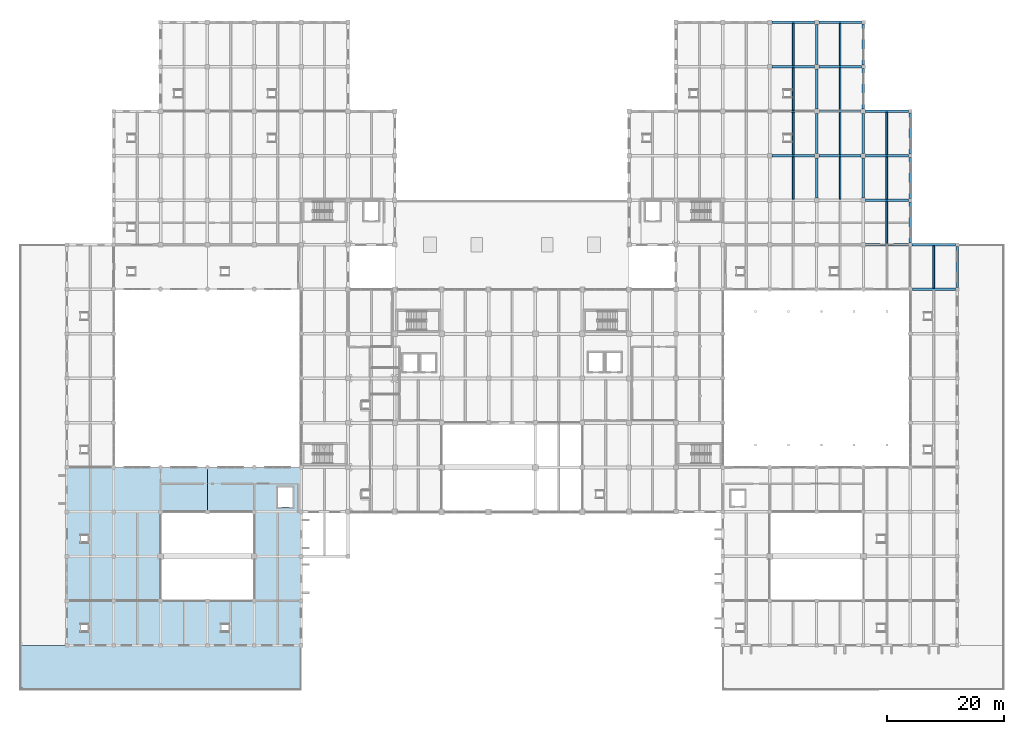
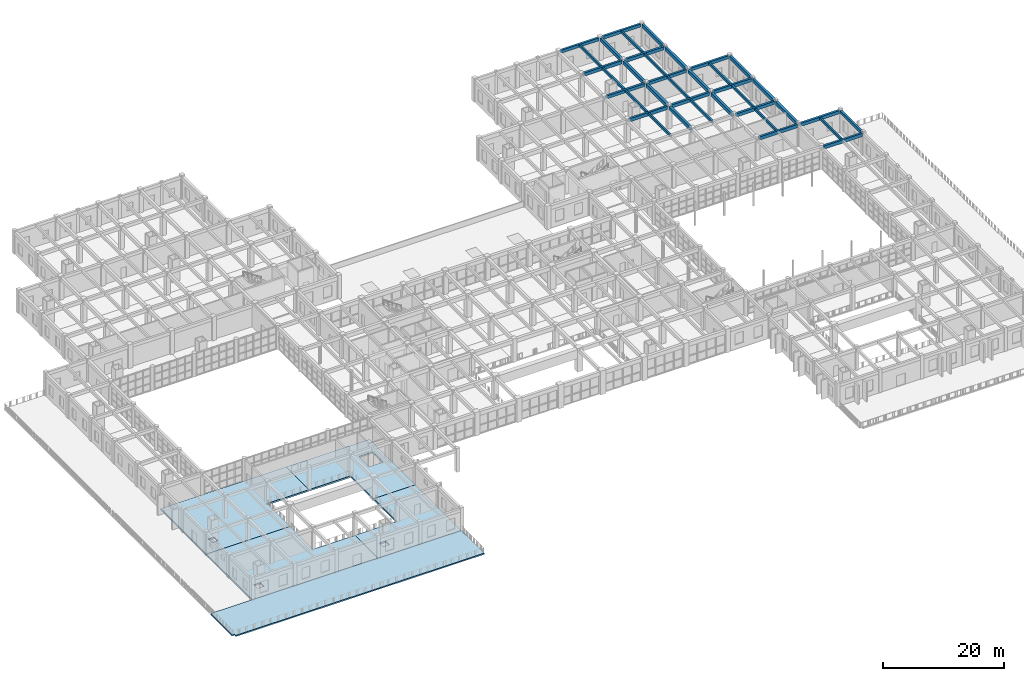
# One storey, part 60 of 101: 38 beams, 5 slabs.
"""IFC4 building model written with IfcOpenShell, lengths in metres."""

from ifc_helpers import new_model, si_unit, direction, frame, origin, origin_2d, place, context, subcontext, project, spatial, polyline, rectangle, outline, extrude, material, layer, layer_set, material_profile, profile_set, type_object, element, save


model = new_model("IFC4")

# Units and contexts
model_context = context("Model", 3, precision=1e-05, world=origin(), true_north=direction((0.0, 1.0)))
body_context = subcontext(model_context, "Body", "Model", "MODEL_VIEW")
ifc_project = project(units=[si_unit("LENGTHUNIT", "METRE"), si_unit("AREAUNIT", "SQUARE_METRE"), si_unit("VOLUMEUNIT", "CUBIC_METRE"), si_unit("PLANEANGLEUNIT", "RADIAN"), si_unit("MASSUNIT", "GRAM", prefix="KILO")], contexts=[model_context])

# Site, building, storey
site_placement = place(None, origin())
site = spatial("IfcSite", under=ifc_project, at=site_placement, CompositionType="ELEMENT")
building_placement = place(site_placement, origin())
building = spatial("IfcBuilding", under=site, at=building_placement, Name="Zantavel Square City Hall", CompositionType="ELEMENT")
storey_placement = place(building_placement, frame((0.0, 0.0, 5.39990234375)))
storey = spatial("IfcBuildingStorey", under=building, at=storey_placement, Name="L02", CompositionType="ELEMENT", Elevation=5.39990234375)

# Beams
ifc_material_1 = material(Name="Concrete C35/45", Category="concrete")
ifc_material_profile_1 = material_profile(ifc_material_1, rectangle(XDim=0.300048828125, YDim=0.5, at=origin_2d()), Name="RC 300x500")
ifc_profile_set_1 = profile_set([ifc_material_profile_1], Name="Concrete C35/45")
beam_type_1 = type_object("IfcBeamType", Name="Floor Joist RC 300x500 C35/45", PredefinedType="JOIST", material=ifc_profile_set_1)
beam_1_placement = place(storey_placement, frame((132.0, 83.800048828125, 4.2900390625), z_axis=(0.0, 1.0, 0.0), x_axis=(-1.0, 0.0, 0.0)))
element("IfcBeam", 1, at=beam_1_placement, inside=storey, type_object=beam_type_1, Name="L02 Floor Joist JST-L02-1320-0836", PredefinedType="JOIST", context=body_context, shape_type="SweptSolid", body=[
    extrude(rectangle(XDim=0.300048828125, YDim=0.5, at=origin_2d()), origin(), (0.0, 0.0, 1.0), 7.199951171875),
])
beam_2_placement = place(storey_placement, frame((132.0, 91.39990234375, 4.2900390625), z_axis=(0.0, 1.0, 0.0), x_axis=(-1.0, 0.0, 0.0)))
element("IfcBeam", 2, at=beam_2_placement, inside=storey, type_object=beam_type_1, Name="L02 Floor Joist JST-L02-1320-0912", PredefinedType="JOIST", context=body_context, shape_type="SweptSolid", body=[
    extrude(rectangle(XDim=0.300048828125, YDim=0.5, at=origin_2d()), origin(), (0.0, 0.0, 1.0), 7.2001953125),
])
for number, where, z_axis, x_axis, name in (
    (3, (132.0, 99.0, 4.2900390625), (0.0, 1.0, 0.0), (-1.0, 0.0, 0.0), "L02 Floor Joist JST-L02-1320-0988"),
    (4, (132.0, 106.60009765625, 4.2900390625), (0.0, 1.0, 0.0), (-1.0, 0.0, 0.0), "L02 Floor Joist JST-L02-1320-1064"),
    (5, (140.0, 83.800048828125, 4.2900390625), (0.0, 1.0, 0.0), (-1.0, 0.0, 0.0), "L02 Floor Joist JST-L02-1400-0836"),
):
    element("IfcBeam", number, at=place(storey_placement, frame(where, z_axis=z_axis, x_axis=x_axis)), inside=storey, type_object=beam_type_1, Name=name, PredefinedType="JOIST", context=body_context, shape_type="SweptSolid", body=[
        extrude(rectangle(XDim=0.300048828125, YDim=0.5, at=origin_2d()), origin(), (0.0, 0.0, 1.0), 7.199951171875),
    ])
beam_3_placement = place(storey_placement, frame((140.0, 91.39990234375, 4.2900390625), z_axis=(0.0, 1.0, 0.0), x_axis=(-1.0, 0.0, 0.0)))
element("IfcBeam", 6, at=beam_3_placement, inside=storey, type_object=beam_type_1, Name="L02 Floor Joist JST-L02-1400-0912", PredefinedType="JOIST", context=body_context, shape_type="SweptSolid", body=[
    extrude(rectangle(XDim=0.300048828125, YDim=0.5, at=origin_2d()), origin(), (0.0, 0.0, 1.0), 7.2001953125),
])
for number, where, z_axis, x_axis, name in (
    (7, (140.0, 99.0, 4.2900390625), (0.0, 1.0, 0.0), (-1.0, 0.0, 0.0), "L02 Floor Joist JST-L02-1400-0988"),
    (8, (140.0, 106.60009765625, 4.2900390625), (0.0, 1.0, 0.0), (-1.0, 0.0, 0.0), "L02 Floor Joist JST-L02-1400-1064"),
    (9, (148.0, 76.199951171875, 4.2001953125), (0.0, 1.0, 0.0), (-1.0, 0.0, 0.0), "L02 Floor Joist JST-L02-1480-0760"),
    (10, (148.0, 83.800048828125, 4.2900390625), (0.0, 1.0, 0.0), (-1.0, 0.0, 0.0), "L02 Floor Joist JST-L02-1480-0836"),
):
    element("IfcBeam", number, at=place(storey_placement, frame(where, z_axis=z_axis, x_axis=x_axis)), inside=storey, type_object=beam_type_1, Name=name, PredefinedType="JOIST", context=body_context, shape_type="SweptSolid", body=[
        extrude(rectangle(XDim=0.300048828125, YDim=0.5, at=origin_2d()), origin(), (0.0, 0.0, 1.0), 7.199951171875),
    ])
beam_4_placement = place(storey_placement, frame((148.0, 91.39990234375, 4.2900390625), z_axis=(0.0, 1.0, 0.0), x_axis=(-1.0, 0.0, 0.0)))
element("IfcBeam", 11, at=beam_4_placement, inside=storey, type_object=beam_type_1, Name="L02 Floor Joist JST-L02-1480-0912", PredefinedType="JOIST", context=body_context, shape_type="SweptSolid", body=[
    extrude(rectangle(XDim=0.300048828125, YDim=0.5, at=origin_2d()), origin(), (0.0, 0.0, 1.0), 7.2001953125),
])
ifc_material_profile_2 = material_profile(ifc_material_1, rectangle(XDim=0.39990234375, YDim=0.64990234375, at=origin_2d()), Name="RC 400x650")
ifc_profile_set_2 = profile_set([ifc_material_profile_2], Name="Concrete C35/45")
beam_type_2 = type_object("IfcBeamType", Name="Frame Beam RC 400x650 C35/45", PredefinedType="BEAM", material=ifc_profile_set_2)
for number, where, z_axis, x_axis, name in (
    (12, (128.375, 91.199951171875, 4.215087890625), (1.0, 0.0, 0.0), (0.0, 1.0, 0.0), "L02 Girder BMX-L02-1280-0912"),
    (13, (128.375, 106.39990234375, 4.215087890625), (1.0, 0.0, 0.0), (0.0, 1.0, 0.0), "L02 Girder BMX-L02-1280-1064"),
    (14, (136.375, 91.199951171875, 4.215087890625), (1.0, 0.0, 0.0), (0.0, 1.0, 0.0), "L02 Girder BMX-L02-1360-0912"),
):
    element("IfcBeam", number, at=place(storey_placement, frame(where, z_axis=z_axis, x_axis=x_axis)), inside=storey, type_object=beam_type_2, Name=name, PredefinedType="BEAM", context=body_context, shape_type="SweptSolid", body=[
        extrude(rectangle(XDim=0.39990234375, YDim=0.64990234375, at=origin_2d()), origin(), (0.0, 0.0, 1.0), 7.25),
    ])
for number, where, z_axis, x_axis, name in (
    (15, (136.375, 106.39990234375, 4.215087890625), (1.0, 0.0, 0.0), (0.0, 1.0, 0.0), "L02 Girder BMX-L02-1360-1064"),
    (16, (144.375, 76.0, 4.125), (1.0, 0.0, 0.0), (0.0, 1.0, 0.0), "L02 Girder BMX-L02-1440-0760"),
    (17, (144.375, 83.60009765625, 4.215087890625), (1.0, 0.0, 0.0), (0.0, 1.0, 0.0), "L02 Girder BMX-L02-1440-0836"),
    (18, (144.375, 91.199951171875, 4.215087890625), (1.0, 0.0, 0.0), (0.0, 1.0, 0.0), "L02 Girder BMX-L02-1440-0912"),
):
    element("IfcBeam", number, at=place(storey_placement, frame(where, z_axis=z_axis, x_axis=x_axis)), inside=storey, type_object=beam_type_2, Name=name, PredefinedType="BEAM", context=body_context, shape_type="SweptSolid", body=[
        extrude(rectangle(XDim=0.39990234375, YDim=0.64990234375, at=origin_2d()), origin(), (0.0, 0.0, 1.0), 7.300048828125),
    ])
beam_5_placement = place(storey_placement, frame((152.375, 68.39990234375, 4.125), z_axis=(1.0, 0.0, 0.0), x_axis=(0.0, 1.0, 0.0)))
element("IfcBeam", 19, at=beam_5_placement, inside=storey, type_object=beam_type_2, Name="L02 Girder BMX-L02-1520-0684", PredefinedType="BEAM", context=body_context, shape_type="SweptSolid", body=[
    extrude(rectangle(XDim=0.39990234375, YDim=0.64990234375, at=origin_2d()), origin(), (0.0, 0.0, 1.0), 7.324951171875),
])
beam_6_placement = place(storey_placement, frame((152.324951171875, 76.0, 4.125), z_axis=(1.0, 0.0, 0.0), x_axis=(0.0, 1.0, 0.0)))
element("IfcBeam", 20, at=beam_6_placement, inside=storey, type_object=beam_type_2, Name="L02 Girder BMX-L02-1520-0760", PredefinedType="BEAM", context=body_context, shape_type="SweptSolid", body=[
    extrude(rectangle(XDim=0.39990234375, YDim=0.64990234375, at=origin_2d()), origin(), (0.0, 0.0, 1.0), 7.375),
])
ifc_material_profile_3 = material_profile(ifc_material_1, rectangle(XDim=0.39990234375, YDim=0.60009765625, at=origin_2d()), Name="RC 400x600")
ifc_profile_set_3 = profile_set([ifc_material_profile_3], Name="Concrete C35/45")
beam_type_3 = type_object("IfcBeamType", Name="Perimeter Spandrel RC 400x600 C35/45", PredefinedType="SPANDREL", material=ifc_profile_set_3)
for number, where, z_axis, x_axis, name in (
    (21, (128.375, 98.800048828125, 4.239990234375), (1.0, 0.0, 0.0), (0.0, 1.0, 0.0), "L02 Girder BMX-L02-1280-0988"),
    (22, (128.375, 114.0, 4.239990234375), (1.0, 0.0, 0.0), (0.0, 1.0, 0.0), "L02 Girder BMX-L02-1280-1140"),
    (23, (136.375, 98.800048828125, 4.239990234375), (1.0, 0.0, 0.0), (0.0, 1.0, 0.0), "L02 Girder BMX-L02-1360-0988"),
):
    element("IfcBeam", number, at=place(storey_placement, frame(where, z_axis=z_axis, x_axis=x_axis)), inside=storey, type_object=beam_type_3, Name=name, PredefinedType="SPANDREL", context=body_context, shape_type="SweptSolid", body=[
        extrude(rectangle(XDim=0.39990234375, YDim=0.60009765625, at=origin_2d()), origin(), (0.0, 0.0, 1.0), 7.25),
    ])
for number, where, z_axis, x_axis, name in (
    (24, (136.375, 114.0, 4.239990234375), (1.0, 0.0, 0.0), (0.0, 1.0, 0.0), "L02 Girder BMX-L02-1360-1140"),
    (25, (144.375, 98.800048828125, 4.239990234375), (1.0, 0.0, 0.0), (0.0, 1.0, 0.0), "L02 Girder BMX-L02-1440-0988"),
):
    element("IfcBeam", number, at=place(storey_placement, frame(where, z_axis=z_axis, x_axis=x_axis)), inside=storey, type_object=beam_type_3, Name=name, PredefinedType="SPANDREL", context=body_context, shape_type="SweptSolid", body=[
        extrude(rectangle(XDim=0.39990234375, YDim=0.60009765625, at=origin_2d()), origin(), (0.0, 0.0, 1.0), 7.300048828125),
    ])
beam_7_placement = place(storey_placement, frame((160.0, 68.699951171875, 4.150146484375), z_axis=(0.0, 1.0, 0.0), x_axis=(-1.0, 0.0, 0.0)))
element("IfcBeam", 26, at=beam_7_placement, inside=storey, type_object=beam_type_3, Name="L02 Beam BMY-L02-1600-0684", PredefinedType="SPANDREL", context=body_context, shape_type="SweptSolid", body=[
    extrude(rectangle(XDim=0.39990234375, YDim=0.60009765625, at=origin_2d()), origin(), (0.0, 0.0, 1.0), 7.0),
])
ifc_material_profile_4 = material_profile(ifc_material_1, rectangle(XDim=0.449951171875, YDim=0.699951171875, at=origin_2d()), Name="RC 450x700")
ifc_profile_set_4 = profile_set([ifc_material_profile_4], Name="Concrete C35/45")
beam_type_4 = type_object("IfcBeamType", Name="Primary Girder RC 450x700 C35/45", PredefinedType="BEAM", material=ifc_profile_set_4)
beam_8_placement = place(storey_placement, frame((136.0, 83.97509765625, 4.190185546875), z_axis=(0.0, 1.0, 0.0), x_axis=(-1.0, 0.0, 0.0)))
element("IfcBeam", 27, at=beam_8_placement, inside=storey, type_object=beam_type_4, Name="L02 Beam BMY-L02-1360-0836", PredefinedType="BEAM", context=body_context, shape_type="SweptSolid", body=[
    extrude(rectangle(XDim=0.449951171875, YDim=0.699951171875, at=origin_2d()), origin(), (0.0, 0.0, 1.0), 6.849853515625),
])
beam_9_placement = place(storey_placement, frame((136.0, 91.574951171875, 4.190185546875), z_axis=(0.0, 1.0, 0.0), x_axis=(-1.0, 0.0, 0.0)))
element("IfcBeam", 28, at=beam_9_placement, inside=storey, type_object=beam_type_4, Name="L02 Beam BMY-L02-1360-0912", PredefinedType="BEAM", context=body_context, shape_type="SweptSolid", body=[
    extrude(rectangle(XDim=0.449951171875, YDim=0.699951171875, at=origin_2d()), origin(), (0.0, 0.0, 1.0), 6.85009765625),
])
beam_10_placement = place(storey_placement, frame((136.0, 99.175048828125, 4.190185546875), z_axis=(0.0, 1.0, 0.0), x_axis=(-1.0, 0.0, 0.0)))
element("IfcBeam", 29, at=beam_10_placement, inside=storey, type_object=beam_type_4, Name="L02 Beam BMY-L02-1360-0988", PredefinedType="BEAM", context=body_context, shape_type="SweptSolid", body=[
    extrude(rectangle(XDim=0.449951171875, YDim=0.699951171875, at=origin_2d()), origin(), (0.0, 0.0, 1.0), 6.849853515625),
])
beam_11_placement = place(storey_placement, frame((136.0, 106.77490234375, 4.190185546875), z_axis=(0.0, 1.0, 0.0), x_axis=(-1.0, 0.0, 0.0)))
element("IfcBeam", 30, at=beam_11_placement, inside=storey, type_object=beam_type_4, Name="L02 Beam BMY-L02-1360-1064", PredefinedType="BEAM", context=body_context, shape_type="SweptSolid", body=[
    extrude(rectangle(XDim=0.449951171875, YDim=0.699951171875, at=origin_2d()), origin(), (0.0, 0.0, 1.0), 6.85009765625),
])
beam_12_placement = place(storey_placement, frame((144.0, 83.97509765625, 4.190185546875), z_axis=(0.0, 1.0, 0.0), x_axis=(-1.0, 0.0, 0.0)))
element("IfcBeam", 31, at=beam_12_placement, inside=storey, type_object=beam_type_4, Name="L02 Beam BMY-L02-1440-0836", PredefinedType="BEAM", context=body_context, shape_type="SweptSolid", body=[
    extrude(rectangle(XDim=0.449951171875, YDim=0.699951171875, at=origin_2d()), origin(), (0.0, 0.0, 1.0), 6.849853515625),
])
beam_13_placement = place(storey_placement, frame((144.0, 91.574951171875, 4.190185546875), z_axis=(0.0, 1.0, 0.0), x_axis=(-1.0, 0.0, 0.0)))
element("IfcBeam", 32, at=beam_13_placement, inside=storey, type_object=beam_type_4, Name="L02 Beam BMY-L02-1440-0912", PredefinedType="BEAM", context=body_context, shape_type="SweptSolid", body=[
    extrude(rectangle(XDim=0.449951171875, YDim=0.699951171875, at=origin_2d()), origin(), (0.0, 0.0, 1.0), 6.85009765625),
])
beam_14_placement = place(storey_placement, frame((144.0, 99.175048828125, 4.190185546875), z_axis=(0.0, 1.0, 0.0), x_axis=(-1.0, 0.0, 0.0)))
element("IfcBeam", 33, at=beam_14_placement, inside=storey, type_object=beam_type_4, Name="L02 Beam BMY-L02-1440-0988", PredefinedType="BEAM", context=body_context, shape_type="SweptSolid", body=[
    extrude(rectangle(XDim=0.449951171875, YDim=0.699951171875, at=origin_2d()), origin(), (0.0, 0.0, 1.0), 6.89990234375),
])
for number, where, z_axis, x_axis, name in (
    (34, (144.0, 106.72509765625, 4.190185546875), (0.0, 1.0, 0.0), (-1.0, 0.0, 0.0), "L02 Beam BMY-L02-1440-1064"),
    (35, (152.0, 76.324951171875, 4.190185546875), (0.0, 1.0, 0.0), (-1.0, 0.0, 0.0), "L02 Beam BMY-L02-1520-0760"),
    (36, (152.0, 83.925048828125, 4.190185546875), (0.0, 1.0, 0.0), (-1.0, 0.0, 0.0), "L02 Beam BMY-L02-1520-0836"),
):
    element("IfcBeam", number, at=place(storey_placement, frame(where, z_axis=z_axis, x_axis=x_axis)), inside=storey, type_object=beam_type_4, Name=name, PredefinedType="BEAM", context=body_context, shape_type="SweptSolid", body=[
        extrude(rectangle(XDim=0.449951171875, YDim=0.699951171875, at=origin_2d()), origin(), (0.0, 0.0, 1.0), 6.949951171875),
    ])
beam_15_placement = place(storey_placement, frame((152.0, 91.52490234375, 4.190185546875), z_axis=(0.0, 1.0, 0.0), x_axis=(-1.0, 0.0, 0.0)))
element("IfcBeam", 37, at=beam_15_placement, inside=storey, type_object=beam_type_4, Name="L02 Beam BMY-L02-1520-0912", PredefinedType="BEAM", context=body_context, shape_type="SweptSolid", body=[
    extrude(rectangle(XDim=0.449951171875, YDim=0.699951171875, at=origin_2d()), origin(), (0.0, 0.0, 1.0), 6.9501953125),
])
ifc_material_profile_5 = material_profile(ifc_material_1, rectangle(XDim=0.280029296875, YDim=0.47998046875, at=origin_2d()), Name="RC 280x480")
ifc_profile_set_5 = profile_set([ifc_material_profile_5], Name="Concrete C35/45")
beam_type_5 = type_object("IfcBeamType", Name="Terrace Deck Joist RC 280x480 C35/45", PredefinedType="JOIST", material=ifc_profile_set_5)
beam_16_placement = place(storey_placement, frame((156.0, 68.60009765625, 4.210205078125), z_axis=(0.0, 1.0, 0.0), x_axis=(-1.0, 0.0, 0.0)))
element("IfcBeam", 38, at=beam_16_placement, inside=storey, type_object=beam_type_5, Name="L02 Floor Joist JST-L02-1560-0684", PredefinedType="JOIST", context=body_context, shape_type="SweptSolid", body=[
    extrude(rectangle(XDim=0.280029296875, YDim=0.47998046875, at=origin_2d()), origin(), (0.0, 0.0, 1.0), 7.199951171875),
])

# Slabs
ifc_material_2 = material(Name="Concrete C40/50", Category="concrete")
ifc_layer_1 = layer(ifc_material_2, 0.320068359375, Name="Concrete C40/50")
ifc_layer_set_1 = layer_set([ifc_layer_1], Name="Concrete C40/50")
slab_type_1 = type_object("IfcSlabType", Name="Archive Vault Heavy Slab 320mm C40/50", PredefinedType="FLOOR", material=ifc_layer_set_1)
slab_1_placement = place(storey_placement, frame((0.0, 0.0, -0.31982421875)))
element("IfcSlab", 39, at=slab_1_placement, inside=storey, type_object=slab_type_1, Name="L02 Floor Slab SLB-L02-V3S-01", PredefinedType="FLOOR", context=body_context, shape_type="SweptSolid", body=[
    extrude(outline(polyline([(24.0, 22.800048828125), (24.0, 15.199951171875), (32.0, 15.199951171875), (32.0, 7.60009765625), (8.0, 7.60009765625), (8.0, 22.800048828125), (24.0, 22.800048828125)]), holes=[polyline([(11.60009765625, 11.199951171875), (10.39990234375, 11.199951171875), (10.39990234375, 10.0), (11.60009765625, 10.0), (11.60009765625, 11.199951171875)])]), origin(), (0.0, 0.0, 1.0), 0.31982421875),
])
slab_2_placement = place(storey_placement, frame((0.0, 0.0, -0.31982421875)))
element("IfcSlab", 40, at=slab_2_placement, inside=storey, type_object=slab_type_1, Name="L02 Floor Slab SLB-L02-V3S-02", PredefinedType="FLOOR", context=body_context, shape_type="SweptSolid", body=[
    extrude(outline(polyline([(48.0, 7.60009765625), (32.0, 7.60009765625), (32.0, 15.199951171875), (40.0, 15.199951171875), (40.0, 22.800048828125), (48.0, 22.800048828125), (48.0, 7.60009765625)]), holes=[polyline([(35.60009765625, 11.199951171875), (34.39990234375, 11.199951171875), (34.39990234375, 10.0), (35.60009765625, 10.0), (35.60009765625, 11.199951171875)])]), origin(), (0.0, 0.0, 1.0), 0.31982421875),
])
slab_3_placement = place(storey_placement, frame((0.0, 0.0, -0.31982421875)))
element("IfcSlab", 41, at=slab_3_placement, inside=storey, type_object=slab_type_1, Name="L02 Floor Slab SLB-L02-V3S-03", PredefinedType="FLOOR", context=body_context, shape_type="SweptSolid", body=[
    extrude(outline(polyline([(32.0, 30.39990234375), (24.0, 30.39990234375), (24.0, 22.800048828125), (8.0, 22.800048828125), (8.0, 38.0), (32.0, 38.0), (32.0, 30.39990234375)]), holes=[polyline([(11.60009765625, 26.39990234375), (10.39990234375, 26.39990234375), (10.39990234375, 25.199951171875), (11.60009765625, 25.199951171875), (11.60009765625, 26.39990234375)])]), origin(), (0.0, 0.0, 1.0), 0.31982421875),
])
slab_4_placement = place(storey_placement, frame((0.0, 0.0, -0.31982421875)))
element("IfcSlab", 42, at=slab_4_placement, inside=storey, type_object=slab_type_1, Name="L02 Floor Slab SLB-L02-V3S-04", PredefinedType="FLOOR", context=body_context, shape_type="SweptSolid", body=[
    extrude(outline(polyline([(40.0, 22.800048828125), (40.0, 30.39990234375), (32.0, 30.39990234375), (32.0, 38.0), (48.0, 38.0), (48.0, 22.800048828125), (40.0, 22.800048828125)]), holes=[polyline([(46.60009765625, 34.60009765625), (44.0, 34.60009765625), (44.0, 31.199951171875), (46.60009765625, 31.199951171875), (46.60009765625, 34.60009765625)])]), origin(), (0.0, 0.0, 1.0), 0.31982421875),
])
ifc_layer_2 = layer(ifc_material_1, 0.25, Name="Concrete C35/45")
ifc_layer_set_2 = layer_set([ifc_layer_2], Name="Concrete C35/45")
slab_type_2 = type_object("IfcSlabType", Name="Portales Promenade Deck Slab 250mm C35/45", PredefinedType="FLOOR", material=ifc_layer_set_2)
slab_5_placement = place(storey_placement, frame((0.0, 0.0, -0.25)))
element("IfcSlab", 43, at=slab_5_placement, inside=storey, type_object=slab_type_2, Name="L02 Outdoor Terrace Slab SLB-L02-PROM-WS", PredefinedType="FLOOR", context=body_context, shape_type="SweptSolid", body=[
    extrude(outline(polyline([(0.449951171875, 0.0), (0.449951171875, 0.449951171875), (0.0, 0.449951171875), (0.0, 7.60009765625), (8.0, 7.60009765625), (32.0, 7.60009765625), (48.0, 7.60009765625), (48.0, 0.0), (0.449951171875, 0.0)])), origin(), (0.0, 0.0, 1.0), 0.25),
])

save(model, "model.ifc")
